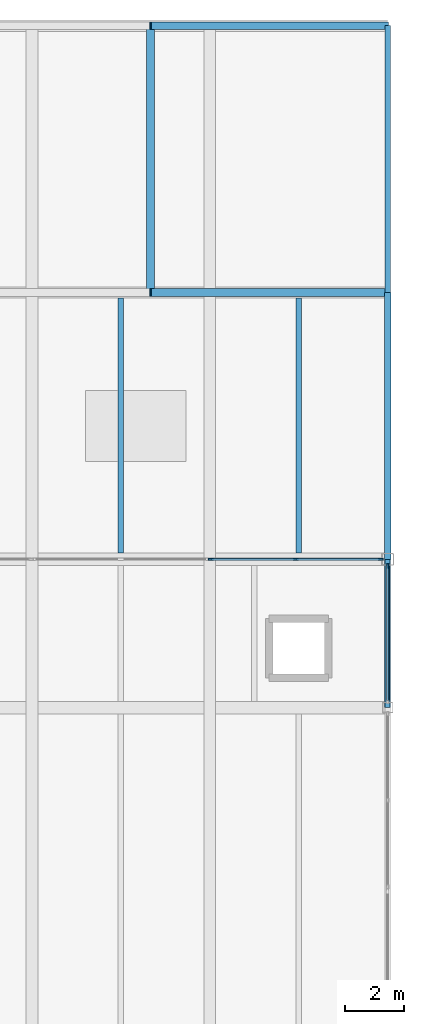
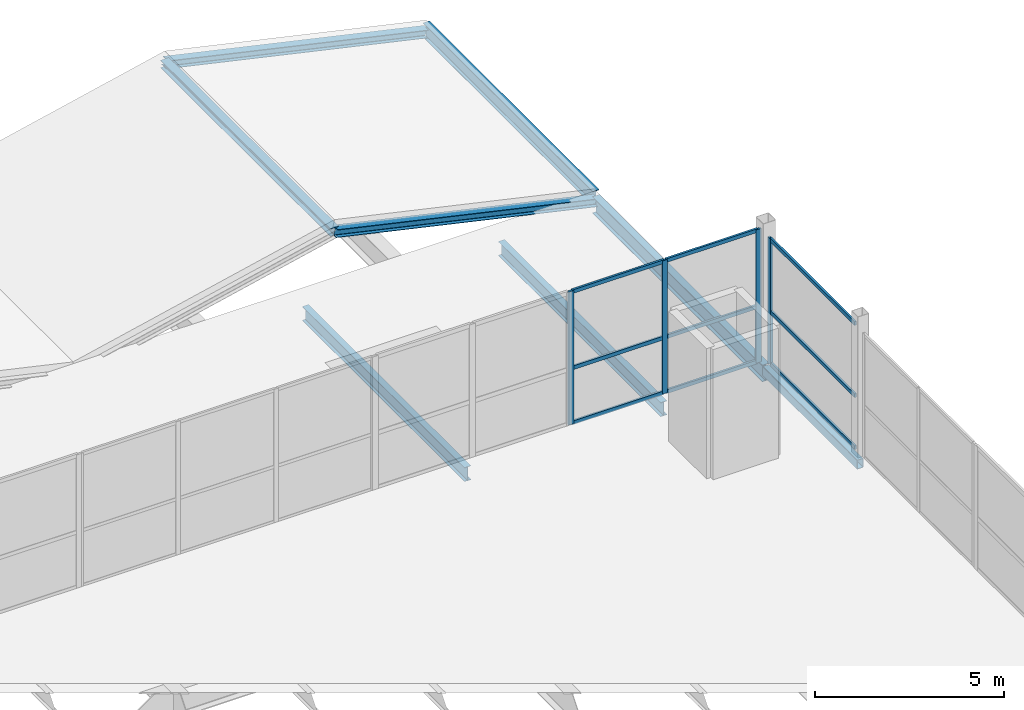
# One storey, part 33 of 50: 13 members, 8 beams, 2 elements without a shape of their own.
"""IFC4 building model written with IfcOpenShell, lengths in metres."""

from ifc_helpers import new_model, si_unit, direction, frame, origin, origin_2d, place, context, subcontext, project, spatial, rectangle, hollow_rectangle, i_section, extrude, material, layer, layer_set, material_profile, profile_set, type_object, element, aggregate, save


model = new_model("IFC4")

# Units and contexts
model_context = context("Model", 3, precision=1e-05, world=origin(), true_north=direction((0.0, 1.0)))
body_context = subcontext(model_context, "Body", "Model", "MODEL_VIEW")
ifc_project = project(units=[si_unit("LENGTHUNIT", "METRE"), si_unit("AREAUNIT", "SQUARE_METRE"), si_unit("VOLUMEUNIT", "CUBIC_METRE"), si_unit("PLANEANGLEUNIT", "RADIAN"), si_unit("MASSUNIT", "GRAM", prefix="KILO")], contexts=[model_context])

# Site, building, storey
site_placement = place(None, origin())
site = spatial("IfcSite", under=ifc_project, at=site_placement, CompositionType="ELEMENT")
building_placement = place(site_placement, origin())
building = spatial("IfcBuilding", under=site, at=building_placement, Name="Qamarlyn Nura Convention Centre", CompositionType="ELEMENT")
storey_placement = place(building_placement, frame((0.0, 0.0, 20.39990234375)))
storey = spatial("IfcBuildingStorey", under=building, at=storey_placement, Name="L04", CompositionType="ELEMENT", Elevation=20.39990234375)

# Beams
ifc_material_1 = material(Name="Steel ASTM A992", Category="steel")
ifc_material_profile_1 = material_profile(ifc_material_1, i_section(OverallWidth=0.18994140625, OverallDepth=0.45703125, WebThickness=0.009033203125, FlangeThickness=0.014404296875, FilletRadius=0.012939453125, at=origin_2d()), Name="W460X74")
ifc_profile_set_1 = profile_set([ifc_material_profile_1], Name="Steel ASTM A992")
beam_type_1 = type_object("IfcBeamType", Name="BM-JOIST-460", PredefinedType="JOIST", material=ifc_profile_set_1)
for number, where, z_axis, x_axis, name in (
    (1, (183.0, 108.208984375, -0.677001953125), (0.0, 1.0, 0.0), (-1.0, 0.0, 0.0), "L04 secondary joist 16-17/N-P-64"),
    (2, (189.0, 108.208984375, -0.677001953125), (0.0, 1.0, 0.0), (-1.0, 0.0, 0.0), "L04 secondary joist 17-18/N-P-72"),
):
    element("IfcBeam", number, at=place(storey_placement, frame(where, z_axis=z_axis, x_axis=x_axis)), inside=storey, type_object=beam_type_1, Name=name, PredefinedType="JOIST", context=body_context, shape_type="SweptSolid", body=[
        extrude(i_section(OverallWidth=0.18994140625, OverallDepth=0.45703125, WebThickness=0.009033203125, FlangeThickness=0.014404296875, FilletRadius=0.012939453125, at=origin_2d()), origin(), (0.0, 0.0, 1.0), 8.6005859375),
    ])
ifc_material_profile_2 = material_profile(ifc_material_1, i_section(OverallWidth=0.25390625, OverallDepth=0.2529296875, WebThickness=0.008544921875, FlangeThickness=0.01416015625, FilletRadius=0.012939453125, at=origin_2d()), Name="W250X73")
ifc_profile_set_2 = profile_set([ifc_material_profile_2], Name="Steel ASTM A992")
beam_type_2 = type_object("IfcBeamType", Name="BM-PURL-250", PredefinedType="BEAM", material=ifc_profile_set_2)
for number, where, z_axis, x_axis, name in (
    (3, (184.0, 117.0, 1.47998046875), (0.97561485681, 0.0, -0.21948952406), (0.0, 1.0, 0.0), "ROOF TRUSS Plenary rafter 3E-117"),
    (4, (184.0, 126.0, 1.47998046875), (0.97561485681, 0.0, -0.21948952406), (0.0, 1.0, 0.0), "ROOF TRUSS Plenary rafter 3E-126"),
):
    element("IfcBeam", number, at=place(storey_placement, frame(where, z_axis=z_axis, x_axis=x_axis)), inside=storey, type_object=beam_type_2, Name=name, PredefinedType="BEAM", context=body_context, shape_type="SweptSolid", body=[
        extrude(i_section(OverallWidth=0.25390625, OverallDepth=0.2529296875, WebThickness=0.008544921875, FlangeThickness=0.01416015625, FilletRadius=0.012939453125, at=origin_2d()), origin(), (0.0, 0.0, 1.0), 8.199951171875),
    ])
beam_1_placement = place(storey_placement, frame((184.0, 117.0, 1.47998046875), z_axis=(0.0, 1.0, 0.0), x_axis=(-1.0, 0.0, 0.0)))
element("IfcBeam", 5, at=beam_1_placement, inside=storey, type_object=beam_type_2, Name="ROOF TRUSS Plenary ridge purlin 3", PredefinedType="BEAM", context=body_context, shape_type="SweptSolid", body=[
    extrude(i_section(OverallWidth=0.25390625, OverallDepth=0.2529296875, WebThickness=0.008544921875, FlangeThickness=0.01416015625, FilletRadius=0.012939453125, at=origin_2d()), origin(), (0.0, 0.0, 1.0), 9.0),
])
ifc_material_profile_3 = material_profile(ifc_material_1, i_section(OverallWidth=0.193115234375, OverallDepth=0.466064453125, WebThickness=0.011474609375, FlangeThickness=0.01904296875, FilletRadius=0.012939453125, at=origin_2d()), Name="W460X97")
ifc_profile_set_3 = profile_set([ifc_material_profile_3], Name="Steel ASTM A992")
beam_type_3 = type_object("IfcBeamType", Name="BM-SPAN-460", PredefinedType="SPANDREL", material=ifc_profile_set_3)
beam_2_placement = place(storey_placement, frame((192.0, 117.0, -0.23291015625), z_axis=(0.0, 1.0, 0.0), x_axis=(-1.0, 0.0, 0.0)))
element("IfcBeam", 6, at=beam_2_placement, inside=storey, type_object=beam_type_3, Name="L04 girder 18 P-Q", PredefinedType="SPANDREL", context=body_context, shape_type="SweptSolid", body=[
    extrude(i_section(OverallWidth=0.193115234375, OverallDepth=0.466064453125, WebThickness=0.011474609375, FlangeThickness=0.01904296875, FilletRadius=0.012939453125, at=origin_2d()), origin(), (0.0, 0.0, 1.0), 9.0),
])
ifc_material_profile_4 = material_profile(ifc_material_1, i_section(OverallWidth=0.2109375, OverallDepth=0.5390625, WebThickness=0.01171875, FlangeThickness=0.018798828125, FilletRadius=0.013916015625, at=origin_2d()), Name="W530X109")
ifc_profile_set_4 = profile_set([ifc_material_profile_4], Name="Steel ASTM A992")
beam_type_4 = type_object("IfcBeamType", Name="BM-SPAN-530", PredefinedType="SPANDREL", material=ifc_profile_set_4)
beam_3_placement = place(storey_placement, frame((192.0, 108.0, -0.429443359375), z_axis=(0.0, 1.0, 0.0), x_axis=(-1.0, 0.0, 0.0)))
element("IfcBeam", 7, at=beam_3_placement, inside=storey, type_object=beam_type_4, Name="L04 girder 18 N-P", PredefinedType="SPANDREL", context=body_context, shape_type="SweptSolid", body=[
    extrude(i_section(OverallWidth=0.2109375, OverallDepth=0.5390625, WebThickness=0.01171875, FlangeThickness=0.018798828125, FilletRadius=0.013916015625, at=origin_2d()), origin(), (0.0, 0.0, 1.0), 9.0),
])
ifc_material_2 = material(Name="Steel ASTM A500 Grade C", Category="steel")
ifc_material_profile_5 = material_profile(ifc_material_2, hollow_rectangle(XDim=0.199951171875, YDim=0.300048828125, WallThickness=0.012451171875, InnerFilletRadius=0.012451171875, OuterFilletRadius=0.02490234375, at=origin_2d()), Name="HSS300X200X12.5")
ifc_profile_set_5 = profile_set([ifc_material_profile_5], Name="Steel ASTM A500 Grade C")
beam_type_5 = type_object("IfcBeamType", Name="BM-SPAN-HSS", PredefinedType="SPANDREL", material=ifc_profile_set_5)
beam_4_placement = place(storey_placement, frame((192.0, 103.0, -0.349853515625), z_axis=(0.0, 1.0, 0.0), x_axis=(-1.0, 0.0, 0.0)))
element("IfcBeam", 8, at=beam_4_placement, inside=storey, type_object=beam_type_5, Name="L04 girder 18 M-N", PredefinedType="SPANDREL", context=body_context, shape_type="SweptSolid", body=[
    extrude(hollow_rectangle(XDim=0.199951171875, YDim=0.300048828125, WallThickness=0.012451171875, InnerFilletRadius=0.012451171875, OuterFilletRadius=0.02490234375, at=origin_2d()), origin(), (0.0, 0.0, 1.0), 5.0),
])

# Curtain wall, member
ifc_material_3 = material(Name="Double-silver low-E insulated glass", Category="glass")
ifc_layer_1 = layer(ifc_material_3, 0.179931640625, Name="CW-UNIT-140")
ifc_layer_set_1 = layer_set([ifc_layer_1], Name="Double-silver low-E insulated glass")
curtain_wall_type_1 = type_object("IfcCurtainWallType", Name="CW-UNIT-140", PredefinedType="NOTDEFINED", material=ifc_layer_set_1)
curtain_wall_1_placement = place(storey_placement, origin())
curtain_wall_1 = element("IfcCurtainWall", 9, at=curtain_wall_1_placement, inside=storey, type_object=curtain_wall_type_1, Name="L04 unitised curtain wall EAST-12-1", PredefinedType="NOTDEFINED")
ifc_material_4 = material(Name="Champagne-anodised marine aluminium", Category="aluminium")
ifc_material_profile_6 = material_profile(ifc_material_4, rectangle(XDim=0.06494140625, YDim=0.159912109375, at=origin_2d()), Name="ALU MULLION 65x160")
ifc_profile_set_6 = profile_set([ifc_material_profile_6], Name="Champagne-anodised marine aluminium")
member_type_1 = type_object("IfcMemberType", Name="CWM-160", PredefinedType="MULLION", material=ifc_profile_set_6)
member_1_placement = place(storey_placement, frame((192.0, 107.767578125, 0.0), z_axis=(0.0, 0.0, 1.0), x_axis=(1.0, 0.0, 0.0)))
member_1 = element("IfcMember", 10, at=member_1_placement, type_object=member_type_1, Name="CW140 mullion 1", PredefinedType="MULLION", context=body_context, shape_type="SweptSolid", body=[
    extrude(rectangle(XDim=0.06494140625, YDim=0.159912109375, at=origin_2d()), origin(), (0.0, 0.0, 1.0), 4.0791015625),
])

# Curtain wall, members
ifc_layer_2 = layer(ifc_material_3, 0.179931640625, Name="CW-UNIT-151")
ifc_layer_set_2 = layer_set([ifc_layer_2], Name="Double-silver low-E insulated glass")
curtain_wall_type_2 = type_object("IfcCurtainWallType", Name="CW-UNIT-151", PredefinedType="NOTDEFINED", material=ifc_layer_set_2)
curtain_wall_2_placement = place(storey_placement, origin())
curtain_wall_2 = element("IfcCurtainWall", 11, at=curtain_wall_2_placement, inside=storey, type_object=curtain_wall_type_2, Name="L04 unitised curtain wall DLN-186-1", PredefinedType="NOTDEFINED")
member_2_placement = place(storey_placement, frame((186.032470703125, 108.0, 0.0), z_axis=(0.0, 0.0, 1.0), x_axis=(0.0, 1.0, 0.0)))
member_2 = element("IfcMember", 12, at=member_2_placement, type_object=member_type_1, Name="CW151 mullion 1", PredefinedType="MULLION", context=body_context, shape_type="SweptSolid", body=[
    extrude(rectangle(XDim=0.06494140625, YDim=0.159912109375, at=origin_2d()), origin(), (0.0, 0.0, 1.0), 4.31005859375),
])
member_3_placement = place(storey_placement, frame((188.89990234375, 108.0, 0.0), z_axis=(0.0, 0.0, 1.0), x_axis=(0.0, 1.0, 0.0)))
member_3 = element("IfcMember", 13, at=member_3_placement, type_object=member_type_1, Name="CW151 mullion 2", PredefinedType="MULLION", context=body_context, shape_type="SweptSolid", body=[
    extrude(rectangle(XDim=0.06494140625, YDim=0.159912109375, at=origin_2d()), origin(), (0.0, 0.0, 1.0), 4.31005859375),
])
member_4_placement = place(storey_placement, frame((191.767578125, 108.0, 0.0), z_axis=(0.0, 0.0, 1.0), x_axis=(0.0, 1.0, 0.0)))
member_4 = element("IfcMember", 14, at=member_4_placement, type_object=member_type_1, Name="CW151 mullion 3", PredefinedType="MULLION", context=body_context, shape_type="SweptSolid", body=[
    extrude(rectangle(XDim=0.06494140625, YDim=0.159912109375, at=origin_2d()), origin(), (0.0, 0.0, 1.0), 4.31005859375),
])

# Member
ifc_material_profile_7 = material_profile(ifc_material_4, rectangle(XDim=0.06494140625, YDim=0.1201171875, at=origin_2d()), Name="ALU TRANSOM 65x120")
ifc_profile_set_7 = profile_set([ifc_material_profile_7], Name="Champagne-anodised marine aluminium")
member_type_2 = type_object("IfcMemberType", Name="CWT-120", PredefinedType="USERDEFINED", material=ifc_profile_set_7)
member_5_placement = place(storey_placement, frame((192.0, 107.735107421875, 0.03271484375), z_axis=(0.0, -1.0, 0.0), x_axis=(1.0, 0.0, 0.0)))
member_5 = element("IfcMember", 15, at=member_5_placement, type_object=member_type_2, Name="CW140 transom 1.1", ObjectType="TRANSOM", PredefinedType="USERDEFINED", context=body_context, shape_type="SweptSolid", body=[
    extrude(rectangle(XDim=0.06494140625, YDim=0.1201171875, at=origin_2d()), origin(), (0.0, 0.0, 1.0), 4.4951171875),
])

member_6_placement = place(storey_placement, frame((192.0, 107.735107421875, 1.713134765625), z_axis=(0.0, -1.0, 0.0), x_axis=(1.0, 0.0, 0.0)))
member_6 = element("IfcMember", 16, at=member_6_placement, type_object=member_type_2, Name="CW140 transom 1.2", ObjectType="TRANSOM", PredefinedType="USERDEFINED", context=body_context, shape_type="SweptSolid", body=[
    extrude(rectangle(XDim=0.06494140625, YDim=0.1201171875, at=origin_2d()), origin(), (0.0, 0.0, 1.0), 4.4951171875),
])

member_7_placement = place(storey_placement, frame((192.0, 107.735107421875, 4.046630859375), z_axis=(0.0, -1.0, 0.0), x_axis=(1.0, 0.0, 0.0)))
member_7 = element("IfcMember", 17, at=member_7_placement, type_object=member_type_2, Name="CW140 transom 1.3", ObjectType="TRANSOM", PredefinedType="USERDEFINED", context=body_context, shape_type="SweptSolid", body=[
    extrude(rectangle(XDim=0.06494140625, YDim=0.1201171875, at=origin_2d()), origin(), (0.0, 0.0, 1.0), 4.4951171875),
])

aggregate(curtain_wall_1, [member_1, member_5, member_6, member_7])

member_8_placement = place(storey_placement, frame((186.06494140625, 108.0, 0.03271484375), z_axis=(1.0, 0.0, 0.0), x_axis=(0.0, 1.0, 0.0)))
member_8 = element("IfcMember", 18, at=member_8_placement, type_object=member_type_2, Name="CW151 transom 1.1", ObjectType="TRANSOM", PredefinedType="USERDEFINED", context=body_context, shape_type="SweptSolid", body=[
    extrude(rectangle(XDim=0.06494140625, YDim=0.1201171875, at=origin_2d()), origin(), (0.0, 0.0, 1.0), 2.802490234375),
])

member_9_placement = place(storey_placement, frame((186.06494140625, 108.0, 1.81005859375), z_axis=(1.0, 0.0, 0.0), x_axis=(0.0, 1.0, 0.0)))
member_9 = element("IfcMember", 19, at=member_9_placement, type_object=member_type_2, Name="CW151 transom 1.2", ObjectType="TRANSOM", PredefinedType="USERDEFINED", context=body_context, shape_type="SweptSolid", body=[
    extrude(rectangle(XDim=0.06494140625, YDim=0.1201171875, at=origin_2d()), origin(), (0.0, 0.0, 1.0), 2.802490234375),
])

member_10_placement = place(storey_placement, frame((186.06494140625, 108.0, 4.277587890625), z_axis=(1.0, 0.0, 0.0), x_axis=(0.0, 1.0, 0.0)))
member_10 = element("IfcMember", 20, at=member_10_placement, type_object=member_type_2, Name="CW151 transom 1.3", ObjectType="TRANSOM", PredefinedType="USERDEFINED", context=body_context, shape_type="SweptSolid", body=[
    extrude(rectangle(XDim=0.06494140625, YDim=0.1201171875, at=origin_2d()), origin(), (0.0, 0.0, 1.0), 2.802490234375),
])

member_11_placement = place(storey_placement, frame((188.9326171875, 108.0, 0.03271484375), z_axis=(1.0, 0.0, 0.0), x_axis=(0.0, 1.0, 0.0)))
member_11 = element("IfcMember", 21, at=member_11_placement, type_object=member_type_2, Name="CW151 transom 2.1", ObjectType="TRANSOM", PredefinedType="USERDEFINED", context=body_context, shape_type="SweptSolid", body=[
    extrude(rectangle(XDim=0.06494140625, YDim=0.1201171875, at=origin_2d()), origin(), (0.0, 0.0, 1.0), 2.802490234375),
])

member_12_placement = place(storey_placement, frame((188.9326171875, 108.0, 1.81005859375), z_axis=(1.0, 0.0, 0.0), x_axis=(0.0, 1.0, 0.0)))
member_12 = element("IfcMember", 22, at=member_12_placement, type_object=member_type_2, Name="CW151 transom 2.2", ObjectType="TRANSOM", PredefinedType="USERDEFINED", context=body_context, shape_type="SweptSolid", body=[
    extrude(rectangle(XDim=0.06494140625, YDim=0.1201171875, at=origin_2d()), origin(), (0.0, 0.0, 1.0), 2.802490234375),
])

member_13_placement = place(storey_placement, frame((188.9326171875, 108.0, 4.277587890625), z_axis=(1.0, 0.0, 0.0), x_axis=(0.0, 1.0, 0.0)))
member_13 = element("IfcMember", 23, at=member_13_placement, type_object=member_type_2, Name="CW151 transom 2.3", ObjectType="TRANSOM", PredefinedType="USERDEFINED", context=body_context, shape_type="SweptSolid", body=[
    extrude(rectangle(XDim=0.06494140625, YDim=0.1201171875, at=origin_2d()), origin(), (0.0, 0.0, 1.0), 2.802490234375),
])

aggregate(curtain_wall_2, [member_2, member_3, member_4, member_8, member_9, member_10, member_11, member_12, member_13])

save(model, "model.ifc")
